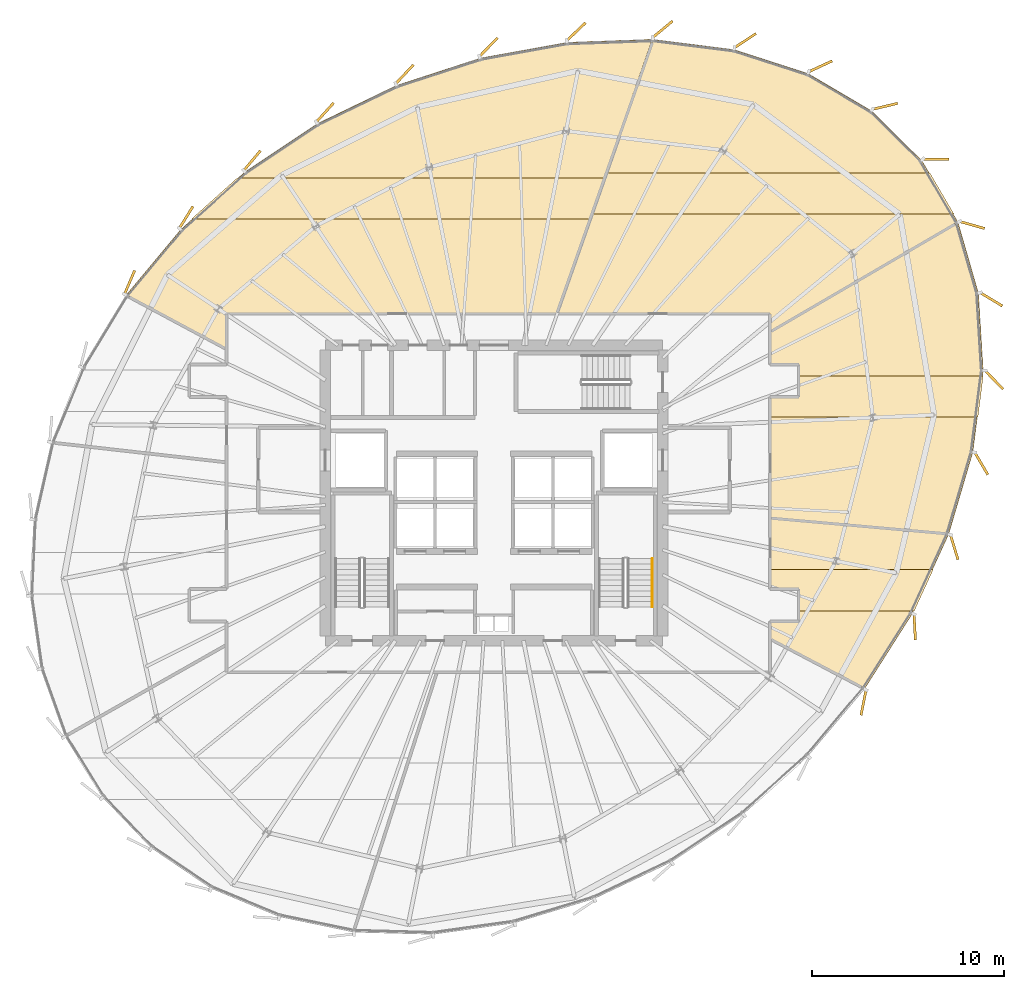
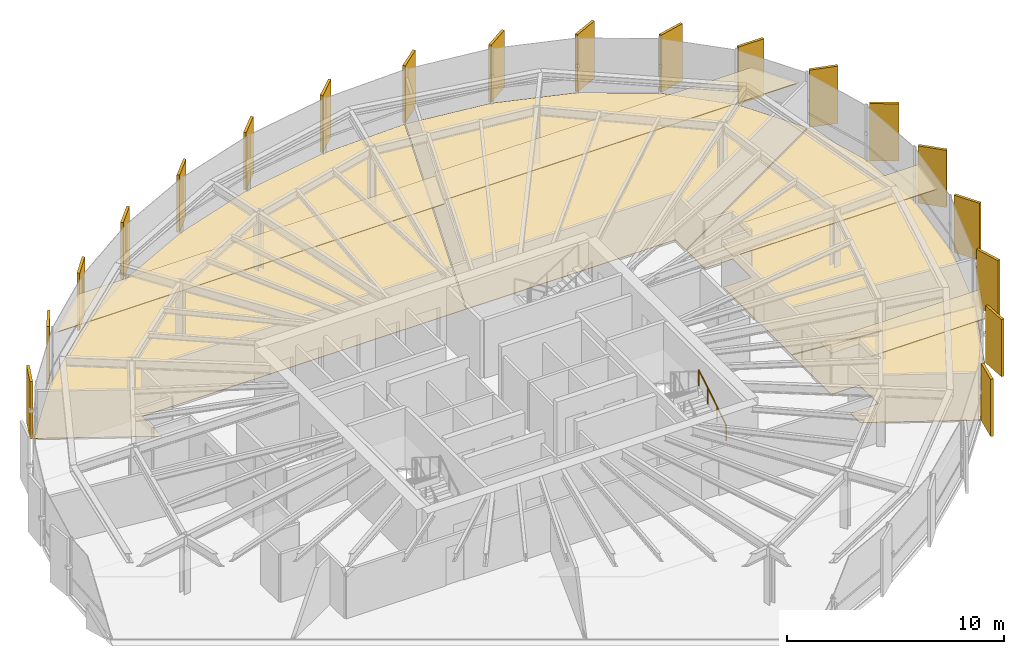
# One storey, part 34 of 34: 27 coverings, 1 railing.
"""IFC4 building model written with IfcOpenShell, lengths in metres."""

from ifc_helpers import new_model, si_unit, direction, frame, origin, origin_2d, place, context, subcontext, project, spatial, polyline, rectangle, circle, outline, extrude, source, transform, mapped, material, layer, layer_set, type_object, element, save


model = new_model("IFC4")

# Units and contexts
model_context = context("Model", 3, precision=1e-05, world=origin(), true_north=direction((0.0, 1.0)))
body_context = subcontext(model_context, "Body", "Model", "MODEL_VIEW")
ifc_project = project(units=[si_unit("LENGTHUNIT", "METRE"), si_unit("AREAUNIT", "SQUARE_METRE"), si_unit("VOLUMEUNIT", "CUBIC_METRE"), si_unit("PLANEANGLEUNIT", "RADIAN"), si_unit("MASSUNIT", "GRAM", prefix="KILO"), si_unit("THERMODYNAMICTEMPERATUREUNIT", "KELVIN")], contexts=[model_context])

# Site, building, storey
site_placement = place(None, origin())
site = spatial("IfcSite", under=ifc_project, at=site_placement, CompositionType="ELEMENT")
building_placement = place(site_placement, origin())
building = spatial("IfcBuilding", under=site, at=building_placement, Name="Kethvar Cultural Tower", CompositionType="ELEMENT")
storey_placement = place(building_placement, frame((0.0, 0.0, 186.89990234375)))
storey = spatial("IfcBuildingStorey", under=building, at=storey_placement, Name="L48", CompositionType="ELEMENT", Elevation=186.89990234375)

# Coverings
ifc_material_1 = material(Name="Acoustic Mineral Fibre Ceiling")
ifc_layer_1 = layer(ifc_material_1, 0.0400390625, Name="Acoustic Mineral Fibre Ceiling")
ifc_layer_set_1 = layer_set([ifc_layer_1], Name="Acoustic Mineral Fibre Ceiling (40 mm)")
covering_type_1 = type_object("IfcCoveringType", Name="CV-ACOUSTIC-CEIL", PredefinedType="CEILING", material=ifc_layer_set_1)
covering_1_placement = place(storey_placement, frame((0.0, 0.0, 2.340087890625)))
element("IfcCovering", 1, at=covering_1_placement, inside=storey, type_object=covering_type_1, Name="L48 Room 03 Acoustic Ceiling Panel", PredefinedType="CEILING", context=body_context, shape_type="SweptSolid", body=[
    extrude(outline(polyline([(62.679931640625, 22.780029296875), (61.18896484375, 22.783447265625), (61.179931640625, 23.801513671875), (69.712158203125, 23.801513671875), (68.7255859375, 21.6513671875), (62.679931640625, 21.6513671875), (62.679931640625, 22.780029296875)])), origin(), (0.0, 0.0, 1.0), 0.0400390625),
])
covering_2_placement = place(storey_placement, frame((0.0, 0.0, 2.340087890625)))
element("IfcCovering", 2, at=covering_2_placement, inside=storey, type_object=covering_type_1, Name="L48 Room 04 Acoustic Ceiling Panel", PredefinedType="CEILING", context=body_context, shape_type="SweptSolid", body=[
    extrude(outline(polyline([(72.0498046875, 31.762451171875), (61.179931640625, 31.762451171875), (61.18017578125, 32.802001953125), (62.679931640625, 32.820068359375), (62.679931640625, 33.91259765625), (72.321533203125, 33.91259765625), (72.0498046875, 31.762451171875)])), origin(), (0.0, 0.0, 1.0), 0.0400390625),
])
covering_3_placement = place(storey_placement, frame((0.0, 0.0, 2.340087890625)))
element("IfcCovering", 3, at=covering_3_placement, inside=storey, type_object=covering_type_1, Name="L48 Room 05 Acoustic Ceiling Panel", PredefinedType="CEILING", context=body_context, shape_type="SweptSolid", body=[
    extrude(outline(polyline([(70.797119140625, 42.350830078125), (51.86669921875, 42.350830078125), (52.618408203125, 44.500732421875), (69.539306640625, 44.500732421875), (70.797119140625, 42.350830078125)])), origin(), (0.0, 0.0, 1.0), 0.0400390625),
])
covering_4_placement = place(storey_placement, frame((0.0, 0.0, 2.340087890625)))
element("IfcCovering", 4, at=covering_4_placement, inside=storey, type_object=covering_type_1, Name="L48 Room 06 Acoustic Ceiling Panel", PredefinedType="CEILING", context=body_context, shape_type="SweptSolid", body=[
    extrude(outline(polyline([(33.3984375, 44.234130859375), (52.5673828125, 44.234130859375), (51.815673828125, 42.083984375), (31.00244140625, 42.083984375), (33.3984375, 44.234130859375)])), origin(), (0.0, 0.0, 1.0), 0.0400390625),
])
ifc_material_2 = material(Name="Architectural Oak Timber", Category="wood")
ifc_layer_2 = layer(ifc_material_2, 0.02490234375, Name="Architectural Oak Timber", Category="wood")
ifc_layer_set_2 = layer_set([ifc_layer_2], Name="Architectural Oak Timber (25 mm)")
covering_type_2 = type_object("IfcCoveringType", Name="CV-OAK-FLOOR", PredefinedType="FLOORING", material=ifc_layer_set_2)
covering_5_placement = place(storey_placement, origin())
element("IfcCovering", 5, at=covering_5_placement, inside=storey, type_object=covering_type_2, Name="L48 Room 03 Floor Finish", PredefinedType="FLOORING", context=body_context, shape_type="SweptSolid", body=[
    extrude(outline(polyline([(68.60400390625, 21.482666015625), (66.136474609375, 17.59912109375), (61.219970703125, 20.198486328125), (61.219970703125, 21.080078125), (62.719970703125, 21.10009765625), (62.715576171875, 22.812744140625), (61.219970703125, 22.820068359375), (61.219970703125, 26.468505859375), (70.50439453125, 25.623779296875), (68.60400390625, 21.482666015625)])), origin(), (0.0, 0.0, 1.0), 0.025146484375),
])
covering_6_placement = place(storey_placement, origin())
element("IfcCovering", 6, at=covering_6_placement, inside=storey, type_object=covering_type_2, Name="L48 Room 04 Floor Finish", PredefinedType="FLOORING", context=body_context, shape_type="SweptSolid", body=[
    extrude(outline(polyline([(72.0673828125, 38.227783203125), (72.315185546875, 34.1826171875), (71.7783203125, 29.93505859375), (70.52001953125, 25.66259765625), (61.219970703125, 26.508544921875), (61.219970703125, 32.780029296875), (62.719970703125, 32.800048828125), (62.718505859375, 34.5078125), (61.219970703125, 34.52001953125), (61.219970703125, 36.186279296875), (71.01025390625, 41.89599609375), (72.0673828125, 38.227783203125)])), origin(), (0.0, 0.0, 1.0), 0.025146484375),
])
covering_7_placement = place(storey_placement, origin())
element("IfcCovering", 7, at=covering_7_placement, inside=storey, type_object=covering_type_2, Name="L48 Room 05 Floor Finish", PredefinedType="FLOORING", context=body_context, shape_type="SweptSolid", body=[
    extrude(outline(polyline([(59.327392578125, 50.926513671875), (63.18408203125, 49.680419921875), (66.493896484375, 47.732421875), (69.130126953125, 45.12109375), (70.994873046875, 41.933349609375), (61.219970703125, 36.232666015625), (61.201904296875, 37.169921875), (50.097412109375, 37.169921875), (55.09423828125, 51.460693359375), (59.327392578125, 50.926513671875)])), origin(), (0.0, 0.0, 1.0), 0.025146484375),
])
covering_8_placement = place(storey_placement, origin())
element("IfcCovering", 8, at=covering_8_placement, inside=storey, type_object=covering_type_2, Name="L48 Room 06 Floor Finish", PredefinedType="FLOORING", context=body_context, shape_type="SweptSolid", body=[
    extrude(outline(polyline([(27.617431640625, 38.1337890625), (30.457275390625, 41.541015625), (33.80859375, 44.54833984375), (37.57861328125, 47.065185546875), (41.7119140625, 49.060546875), (46.103515625, 50.489990234375), (50.61376953125, 51.3056640625), (55.05224609375, 51.461669921875), (50.05517578125, 37.169921875), (32.847900390625, 37.169921875), (32.830078125, 35.33203125), (27.617431640625, 38.1337890625)])), origin(), (0.0, 0.0, 1.0), 0.025146484375),
])

# Railing
ifc_material_3 = material(Name="Steel S355J2", Category="steel")
railing_type = type_object("IfcRailingType", Name="RL-STAIR-HANDRAIL", PredefinedType="HANDRAIL", material=ifc_material_3)
railing_placement = place(storey_placement, frame((55.06005859375, 21.85009765625, 0.175048828125)))
element("IfcRailing", 9, at=railing_placement, inside=storey, type_object=railing_type, Name="L48 ST-02 stair handrail 1", PredefinedType="HANDRAIL", context=body_context, shape_type="SweptSolid", body=[
    extrude(circle(Radius=0.02392578125, at=origin_2d()), frame((0.0, 0.0, 0.8759765625), z_axis=(0.0, 0.848007534815, 0.529984170421), x_axis=(-1.0, 0.0, 0.0)), (0.0, 0.0, 1.0), 2.9716796875),
    extrude(circle(Radius=0.02099609375, at=origin_2d()), origin(), (0.0, 0.0, 1.0), 0.851806640625),
    extrude(circle(Radius=0.02099609375, at=origin_2d()), frame((0.0, 0.840087890625, 0.52490234375)), (0.0, 0.0, 1.0), 0.851806640625),
    extrude(circle(Radius=0.02099609375, at=origin_2d()), frame((0.0, 1.679931640625, 1.050048828125)), (0.0, 0.0, 1.0), 0.851806640625),
    extrude(circle(Radius=0.02099609375, at=origin_2d()), frame((0.0, 2.52001953125, 1.574951171875)), (0.0, 0.0, 1.0), 0.851806640625),
])

# Coverings
ifc_material_4 = material(Name="Extruded Architectural Terracotta", Category="masonry")
ifc_layer_3 = layer(ifc_material_4, 0.135009765625, Name="Extruded Architectural Terracotta", Category="masonry")
ifc_layer_set_3 = layer_set([ifc_layer_3], Name="Extruded Architectural Terracotta (135 mm)")
covering_type_3 = type_object("IfcCoveringType", Name="Terracotta Facade Fin FIN-03", PredefinedType="CLADDING", material=ifc_layer_set_3)
shared_shape = source(origin(), body_context, "Body", "SweptSolid", [
    extrude(rectangle(XDim=1.35009765625, YDim=0.135009765625, at=origin_2d()), origin(), (0.0, 0.0, 1.0), 3.219970703125),
])
for number, where, z_axis, x_axis, name in (
    (10, (69.849609375, 45.2119140625, 0.02001953125), (0.0, 0.0, 1.0), (0.999964908278, -0.008377482415, 0.0), "L48 Vertical Terracotta Fin 1.1"),
    (11, (67.203369140625, 47.973876953125, 0.02001953125), (0.0, 0.0, 1.0), (0.972694923667, 0.232087452208, 0.0), "L48 Vertical Terracotta Fin 1.2"),
    (12, (63.8291015625, 50.05859375, 0.02001953125), (0.0, 0.0, 1.0), (0.907264343782, 0.420560828539, 0.0), "L48 Vertical Terracotta Fin 1.3"),
    (13, (59.904296875, 51.398681640625, 0.02001953125), (0.0, 0.0, 1.0), (0.833210881659, 0.552955356864, 0.0), "L48 Vertical Terracotta Fin 1.4"),
    (14, (55.597412109375, 51.993896484375, 0.02001953125), (0.0, 0.0, 1.0), (0.769511029343, 0.638633522232, 0.0), "L48 Vertical Terracotta Fin 1.5"),
    (15, (51.08642578125, 51.869873046875, 0.02001953125), (0.0, 0.0, 1.0), (0.724292211723, 0.689493141399, 0.0), "L48 Vertical Terracotta Fin 1.6"),
    (16, (46.508056640625, 51.056640625, 0.02001953125), (0.0, 0.0, 1.0), (0.698290362848, 0.715814619265, 0.0), "L48 Vertical Terracotta Fin 2.1"),
    (17, (42.131103515625, 49.643798828125, 0.02001953125), (0.0, 0.0, 1.0), (0.683528606764, 0.729923724601, 0.0), "L48 Vertical Terracotta Fin 2.2"),
    (18, (37.9775390625, 47.6494140625, 0.02001953125), (0.0, 0.0, 1.0), (0.671332612883, 0.741156206801, 0.0), "L48 Vertical Terracotta Fin 2.3"),
    (19, (34.177734375, 45.14013671875, 0.02001953125), (0.0, 0.0, 1.0), (0.643990115982, 0.765033810049, 0.0), "L48 Vertical Terracotta Fin 2.4"),
    (20, (30.737060546875, 42.179931640625, 0.02001953125), (0.0, 0.0, 1.0), (0.527104121728, 0.849800708906, 0.0), "L48 Vertical Terracotta Fin 2.5"),
    (21, (27.78466796875, 38.78955078125, 0.02001953125), (0.0, 0.0, 1.0), (0.395224880204, 0.918584396813, 0.0), "L48 Vertical Terracotta Fin 2.6"),
    (22, (66.078125, 16.867919921875, 0.02001953125), (0.0, 0.0, 1.0), (-0.196630694615, -0.980477623373, 0.0), "L48 Vertical Terracotta Fin 5.6"),
    (23, (68.747314453125, 20.801025390625, 0.02001953125), (0.0, 0.0, 1.0), (0.054427364735, -0.998517732425, 0.0), "L48 Vertical Terracotta Fin 6.1"),
    (24, (70.8076171875, 24.972900390625, 0.02001953125), (0.0, 0.0, 1.0), (0.290869184643, -0.956762832381, 0.0), "L48 Vertical Terracotta Fin 6.2"),
    (25, (72.219482421875, 29.339111328125, 0.02001953125), (0.0, 0.0, 1.0), (0.506786256511, -0.862071743077, 0.0), "L48 Vertical Terracotta Fin 6.3"),
    (26, (72.88623046875, 33.703369140625, 0.02001953125), (0.0, 0.0, 1.0), (0.697915467487, -0.716180145105, 0.0), "L48 Vertical Terracotta Fin 6.4"),
    (27, (72.74169921875, 37.904296875, 0.02001953125), (0.0, 0.0, 1.0), (0.855725702761, -0.517429726276, 0.0), "L48 Vertical Terracotta Fin 6.5"),
    (28, (71.740966796875, 41.782958984375, 0.02001953125), (0.0, 0.0, 1.0), (0.962312978642, -0.271944353017, 0.0), "L48 Vertical Terracotta Fin 6.6"),
):
    element("IfcCovering", number, at=place(storey_placement, frame(where, z_axis=z_axis, x_axis=x_axis)), inside=storey, type_object=covering_type_3, Name=name, PredefinedType="CLADDING", context=body_context, shape_type="MappedRepresentation", body=[
        mapped(shared_shape, transform((0.0, 0.0, 0.0), scale=1.0)),
    ])

save(model, "model.ifc")
